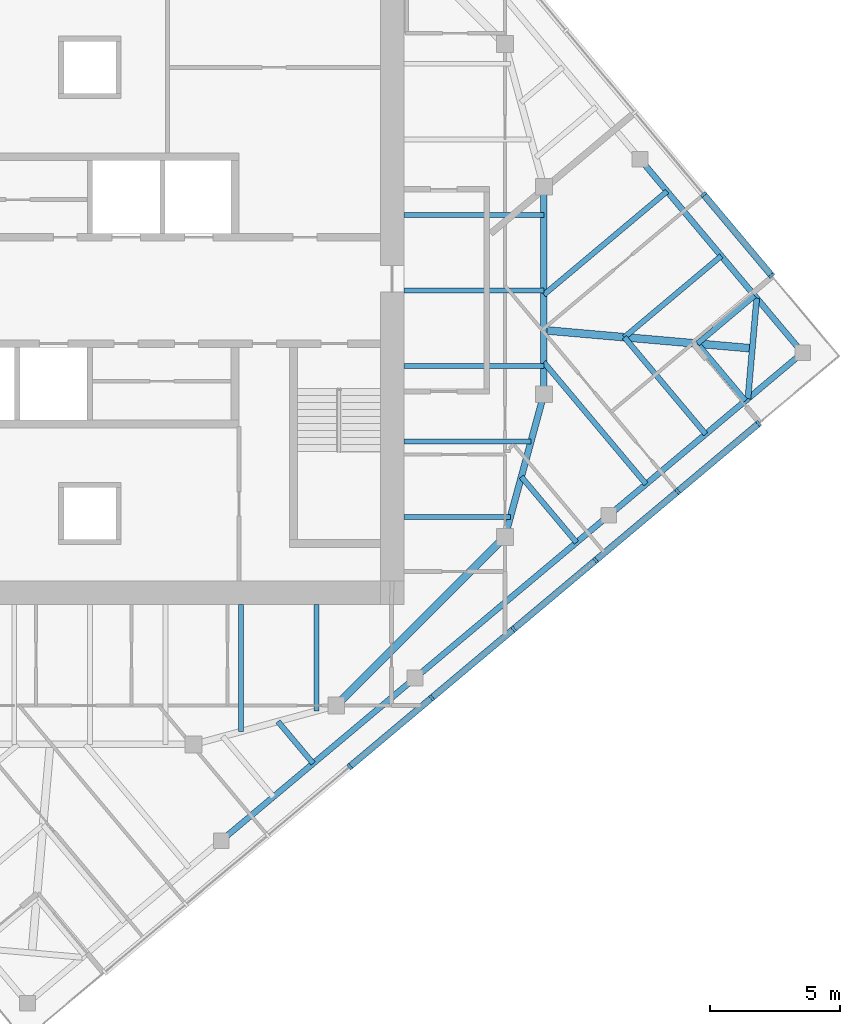
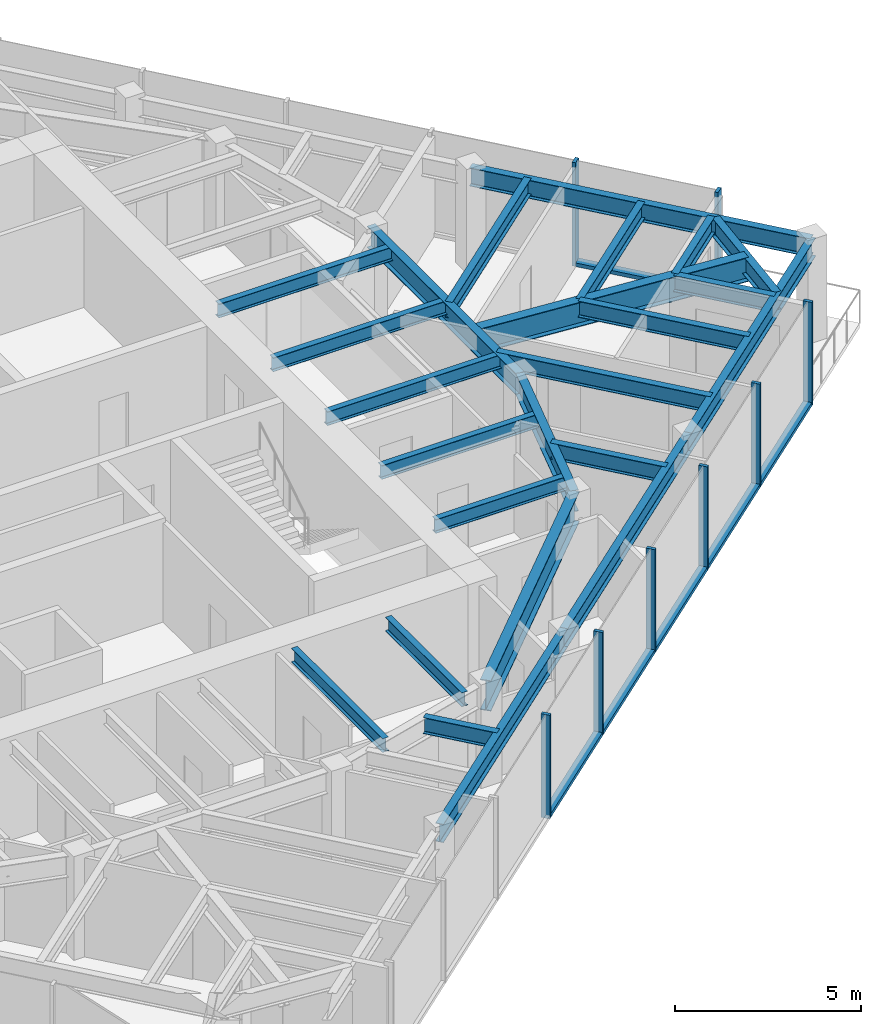
# One storey, part 3 of 12: 24 beams, 14 members, 2 elements without a shape of their own.
"""IFC4 building model written with IfcOpenShell, lengths in metres."""

from ifc_helpers import new_model, si_unit, direction, frame, origin, origin_2d, place, context, subcontext, project, spatial, rectangle, i_section, extrude, material, material_profile, profile_set, type_object, element, aggregate, save


model = new_model("IFC4")

# Units and contexts
model_context = context("Model", 3, precision=1e-05, world=origin(), true_north=direction((0.0, 1.0)))
body_context = subcontext(model_context, "Body", "Model", "MODEL_VIEW")
ifc_project = project(units=[si_unit("LENGTHUNIT", "METRE"), si_unit("AREAUNIT", "SQUARE_METRE"), si_unit("VOLUMEUNIT", "CUBIC_METRE"), si_unit("PLANEANGLEUNIT", "RADIAN"), si_unit("MASSUNIT", "GRAM", prefix="KILO")], contexts=[model_context])

# Site, building, storey
site_placement = place(None, origin())
site = spatial("IfcSite", under=ifc_project, at=site_placement, CompositionType="ELEMENT")
building_placement = place(site_placement, origin())
building = spatial("IfcBuilding", under=site, at=building_placement, Name="Torsade Residences", CompositionType="ELEMENT")
storey_placement = place(building_placement, frame((0.0, 0.0, 286.199951171875)))
storey = spatial("IfcBuildingStorey", under=building, at=storey_placement, Name="L79", CompositionType="ELEMENT", Elevation=286.199951171875)

# Beams
ifc_material_1 = material(Name="Steel grade 300", Category="steel")
ifc_material_profile_1 = material_profile(ifc_material_1, i_section(OverallWidth=0.300048828125, OverallDepth=0.800048828125, WebThickness=0.010009765625, FlangeThickness=0.02001953125, at=origin_2d()), Name="800WB146")
ifc_profile_set_1 = profile_set([ifc_material_profile_1], Name="Steel grade 300")
beam_type_1 = type_object("IfcBeamType", Name="CORNER GIRDER 800WB146", PredefinedType="BEAM", material=ifc_profile_set_1)
beam_1_placement = place(storey_placement, frame((65.53515625, 27.765869140625, 2.85009765625), z_axis=(-0.996193191806, 0.087172957961, 0.0), x_axis=(-0.087172957961, -0.996193191806, 0.0)))
element("IfcBeam", 1, at=beam_1_placement, inside=storey, type_object=beam_type_1, Name="Corner girder 05 L80", PredefinedType="BEAM", context=body_context, shape_type="SweptSolid", body=[
    extrude(i_section(OverallWidth=0.300048828125, OverallDepth=0.800048828125, WebThickness=0.010009765625, FlangeThickness=0.02001953125, at=origin_2d()), origin(), (0.0, 0.0, 1.0), 8.06591796875),
])
ifc_material_2 = material(Name="Steel grade 300", Category="steel")
ifc_material_profile_2 = material_profile(ifc_material_2, i_section(OverallWidth=0.22802734375, OverallDepth=0.60205078125, WebThickness=0.010498046875, FlangeThickness=0.014892578125, FilletRadius=0.013916015625, at=origin_2d()), Name="610UB101")
ifc_profile_set_2 = profile_set([ifc_material_profile_2], Name="Steel grade 300")
beam_type_2 = type_object("IfcBeamType", Name="CORNER TRIMMER 610UB101", PredefinedType="BEAM", material=ifc_profile_set_2)
beam_2_placement = place(storey_placement, frame((65.70458984375, 29.703125, 2.948974609375), z_axis=(-0.087133464362, -0.996196646947, 0.0), x_axis=(0.996196646947, -0.087133464362, 0.0)))
element("IfcBeam", 2, at=beam_2_placement, inside=storey, type_object=beam_type_2, Name="Corner trimmer 05 L80", PredefinedType="BEAM", context=body_context, shape_type="SweptSolid", body=[
    extrude(i_section(OverallWidth=0.22802734375, OverallDepth=0.60205078125, WebThickness=0.010498046875, FlangeThickness=0.014892578125, FilletRadius=0.013916015625, at=origin_2d()), origin(), (0.0, 0.0, 1.0), 3.88916015625),
])
ifc_material_3 = material(Name="Steel grade 300", Category="steel")
ifc_material_profile_3 = material_profile(ifc_material_3, i_section(OverallWidth=0.22802734375, OverallDepth=0.60205078125, WebThickness=0.010498046875, FlangeThickness=0.014892578125, FilletRadius=0.013916015625, at=origin_2d()), Name="610UB101")
ifc_profile_set_3 = profile_set([ifc_material_profile_3], Name="Steel grade 300")
beam_type_3 = type_object("IfcBeamType", Name="EDGE BEAM 610UB101", PredefinedType="SPANDREL", material=ifc_profile_set_3)
for number, where, z_axis, x_axis, name in (
    (3, (45.0654296875, 8.794921875, 2.948974609375), (0.766051532934, 0.642779160279, 0.0), (-0.642779160279, 0.766051532934, 0.0), "Edge beam 02 L80"),
    (4, (52.534423828125, 15.06201171875, 2.948974609375), (0.766028856906, 0.642806184154, 0.0), (-0.642806184154, 0.766028856906, 0.0), "Edge beam 03 L80"),
    (5, (60.003173828125, 21.329345703125, 2.948974609375), (0.766051532934, 0.642779160279, 0.0), (-0.642779160279, 0.766051532934, 0.0), "Edge beam 04 L80"),
    (6, (67.47216796875, 27.596435546875, 2.948974609375), (-0.642779160279, 0.766051532934, 0.0), (-0.766051532934, -0.642779160279, 0.0), "Edge beam 05 L80"),
):
    element("IfcBeam", number, at=place(storey_placement, frame(where, z_axis=z_axis, x_axis=x_axis)), inside=storey, type_object=beam_type_3, Name=name, PredefinedType="SPANDREL", context=body_context, shape_type="SweptSolid", body=[
        extrude(i_section(OverallWidth=0.22802734375, OverallDepth=0.60205078125, WebThickness=0.010498046875, FlangeThickness=0.014892578125, FilletRadius=0.013916015625, at=origin_2d()), origin(), (0.0, 0.0, 1.0), 9.75),
    ])

# Curtain wall, members
ifc_material_4 = material(Name="Aluminium and glass", Category="aluminium")
curtain_wall_type = type_object("IfcCurtainWallType", Name="FRITTED GLASS CURTAIN WALL HIGH ZONE", PredefinedType="NOTDEFINED", material=ifc_material_4)
curtain_wall_1_placement = place(storey_placement, origin())
curtain_wall_1 = element("IfcCurtainWall", 7, at=curtain_wall_1_placement, inside=storey, type_object=curtain_wall_type, Name="Curtain wall L79 face 1", PredefinedType="NOTDEFINED")
ifc_material_5 = material(Name="Aluminium mullion", Category="aluminium")
ifc_material_profile_4 = material_profile(ifc_material_5, rectangle(XDim=0.25, YDim=0.10009765625, at=origin_2d()), Name="HIGH ZONE CURTAIN WALL MULLION 250x100")
ifc_profile_set_4 = profile_set([ifc_material_profile_4], Name="Aluminium mullion")
member_type_1 = type_object("IfcMemberType", Name="HIGH ZONE CURTAIN WALL MULLION 250x100", PredefinedType="MULLION", material=ifc_profile_set_4)
member_1_placement = place(storey_placement, frame((50.017333984375, 11.64453125, 0.0), z_axis=(0.0, 0.0, 1.0), x_axis=(-0.642787616853, 0.766044437106, 0.0)))
member_1 = element("IfcMember", 8, at=member_1_placement, type_object=member_type_1, Name="Mullion 4", PredefinedType="MULLION", context=body_context, shape_type="SweptSolid", body=[
    extrude(rectangle(XDim=0.25, YDim=0.10009765625, at=origin_2d()), origin(), (0.0, 0.0, 1.0), 3.400146484375),
])
member_2_placement = place(storey_placement, frame((53.17724609375, 14.296142578125, 0.0), z_axis=(0.0, 0.0, 1.0), x_axis=(-0.642787616853, 0.766044437106, 0.0)))
member_2 = element("IfcMember", 9, at=member_2_placement, type_object=member_type_1, Name="Mullion 5", PredefinedType="MULLION", context=body_context, shape_type="SweptSolid", body=[
    extrude(rectangle(XDim=0.25, YDim=0.10009765625, at=origin_2d()), origin(), (0.0, 0.0, 1.0), 3.400146484375),
])
member_3_placement = place(storey_placement, frame((56.337158203125, 16.947509765625, 0.0), z_axis=(0.0, 0.0, 1.0), x_axis=(-0.642787616853, 0.766044437106, 0.0)))
member_3 = element("IfcMember", 10, at=member_3_placement, type_object=member_type_1, Name="Mullion 6", PredefinedType="MULLION", context=body_context, shape_type="SweptSolid", body=[
    extrude(rectangle(XDim=0.25, YDim=0.10009765625, at=origin_2d()), origin(), (0.0, 0.0, 1.0), 3.400146484375),
])
member_4_placement = place(storey_placement, frame((59.4970703125, 19.59912109375, 0.0), z_axis=(0.0, 0.0, 1.0), x_axis=(-0.642787616853, 0.766044437106, 0.0)))
member_4 = element("IfcMember", 11, at=member_4_placement, type_object=member_type_1, Name="Mullion 7", PredefinedType="MULLION", context=body_context, shape_type="SweptSolid", body=[
    extrude(rectangle(XDim=0.25, YDim=0.10009765625, at=origin_2d()), origin(), (0.0, 0.0, 1.0), 3.400146484375),
])
member_5_placement = place(storey_placement, frame((62.656982421875, 22.25048828125, 0.0), z_axis=(0.0, 0.0, 1.0), x_axis=(-0.642787616853, 0.766044437106, 0.0)))
member_5 = element("IfcMember", 12, at=member_5_placement, type_object=member_type_1, Name="Mullion 8", PredefinedType="MULLION", context=body_context, shape_type="SweptSolid", body=[
    extrude(rectangle(XDim=0.25, YDim=0.10009765625, at=origin_2d()), origin(), (0.0, 0.0, 1.0), 3.400146484375),
])
member_6_placement = place(storey_placement, frame((65.778564453125, 24.869873046875, 0.0), z_axis=(0.0, 0.0, 1.0), x_axis=(-0.642787616853, 0.766044437106, 0.0)))
member_6 = element("IfcMember", 13, at=member_6_placement, type_object=member_type_1, Name="Mullion 9", PredefinedType="MULLION", context=body_context, shape_type="SweptSolid", body=[
    extrude(rectangle(XDim=0.25, YDim=0.10009765625, at=origin_2d()), origin(), (0.0, 0.0, 1.0), 3.400146484375),
])

curtain_wall_2_placement = place(storey_placement, origin())
curtain_wall_2 = element("IfcCurtainWall", 14, at=curtain_wall_2_placement, inside=storey, type_object=curtain_wall_type, Name="Curtain wall L79 face 4", PredefinedType="NOTDEFINED")
member_7_placement = place(storey_placement, frame((66.27783203125, 30.57568359375, 0.0), z_axis=(0.0, 0.0, 1.0), x_axis=(-0.766044437106, -0.642787616853, 0.0)))
member_7 = element("IfcMember", 15, at=member_7_placement, type_object=member_type_1, Name="Mullion 1", PredefinedType="MULLION", context=body_context, shape_type="SweptSolid", body=[
    extrude(rectangle(XDim=0.25, YDim=0.10009765625, at=origin_2d()), origin(), (0.0, 0.0, 1.0), 3.400146484375),
])
member_8_placement = place(storey_placement, frame((63.658447265625, 33.697265625, 0.0), z_axis=(0.0, 0.0, 1.0), x_axis=(-0.766044437106, -0.642787616853, 0.0)))
member_8 = element("IfcMember", 16, at=member_8_placement, type_object=member_type_1, Name="Mullion 2", PredefinedType="MULLION", context=body_context, shape_type="SweptSolid", body=[
    extrude(rectangle(XDim=0.25, YDim=0.10009765625, at=origin_2d()), origin(), (0.0, 0.0, 1.0), 3.400146484375),
])

# Member
ifc_material_6 = material(Name="Aluminium transom", Category="aluminium")
ifc_material_profile_5 = material_profile(ifc_material_6, rectangle(XDim=0.25, YDim=0.1201171875, at=origin_2d()), Name="HIGH ZONE CURTAIN WALL TRANSOM 250x120")
ifc_profile_set_5 = profile_set([ifc_material_profile_5], Name="Aluminium transom")
member_type_2 = type_object("IfcMemberType", Name="HIGH ZONE CURTAIN WALL TRANSOM 250x120", PredefinedType="USERDEFINED", material=ifc_profile_set_5)
member_9_placement = place(storey_placement, frame((50.055419921875, 11.6767578125, 0.06005859375), z_axis=(0.766069182322, 0.6427581255, 0.0), x_axis=(-0.6427581255, 0.766069182322, 0.0)))
member_9 = element("IfcMember", 17, at=member_9_placement, type_object=member_type_2, Name="Transom 4.1", ObjectType="TRANSOM", PredefinedType="USERDEFINED", context=body_context, shape_type="SweptSolid", body=[
    extrude(rectangle(XDim=0.25, YDim=0.1201171875, at=origin_2d()), origin(), (0.0, 0.0, 1.0), 4.025146484375),
])

member_10_placement = place(storey_placement, frame((53.21533203125, 14.328125, 0.06005859375), z_axis=(0.766039316443, 0.642793719372, 0.0), x_axis=(-0.642793719372, 0.766039316443, 0.0)))
member_10 = element("IfcMember", 18, at=member_10_placement, type_object=member_type_2, Name="Transom 5.1", ObjectType="TRANSOM", PredefinedType="USERDEFINED", context=body_context, shape_type="SweptSolid", body=[
    extrude(rectangle(XDim=0.25, YDim=0.1201171875, at=origin_2d()), origin(), (0.0, 0.0, 1.0), 4.025146484375),
])

member_11_placement = place(storey_placement, frame((56.37548828125, 16.979736328125, 0.06005859375), z_axis=(0.766044121803, 0.642787992616, 0.0), x_axis=(-0.642787992616, 0.766044121803, 0.0)))
member_11 = element("IfcMember", 19, at=member_11_placement, type_object=member_type_2, Name="Transom 6.1", ObjectType="TRANSOM", PredefinedType="USERDEFINED", context=body_context, shape_type="SweptSolid", body=[
    extrude(rectangle(XDim=0.25, YDim=0.1201171875, at=origin_2d()), origin(), (0.0, 0.0, 1.0), 4.02490234375),
])

member_12_placement = place(storey_placement, frame((59.535400390625, 19.63134765625, 0.06005859375), z_axis=(0.766044121803, 0.642787992616, 0.0), x_axis=(-0.642787992616, 0.766044121803, 0.0)))
member_12 = element("IfcMember", 20, at=member_12_placement, type_object=member_type_2, Name="Transom 7.1", ObjectType="TRANSOM", PredefinedType="USERDEFINED", context=body_context, shape_type="SweptSolid", body=[
    extrude(rectangle(XDim=0.25, YDim=0.1201171875, at=origin_2d()), origin(), (0.0, 0.0, 1.0), 4.02490234375),
])

member_13_placement = place(storey_placement, frame((62.6953125, 22.28271484375, 0.06005859375), z_axis=(0.766021778456, 0.642814619413, 0.0), x_axis=(-0.642814619413, 0.766021778456, 0.0)))
member_13 = element("IfcMember", 21, at=member_13_placement, type_object=member_type_2, Name="Transom 8.1", ObjectType="TRANSOM", PredefinedType="USERDEFINED", context=body_context, shape_type="SweptSolid", body=[
    extrude(rectangle(XDim=0.25, YDim=0.1201171875, at=origin_2d()), origin(), (0.0, 0.0, 1.0), 3.97509765625),
])

aggregate(curtain_wall_1, [member_1, member_2, member_3, member_4, member_5, member_6, member_9, member_10, member_11, member_12, member_13])

member_14_placement = place(storey_placement, frame((66.24560546875, 30.614013671875, 0.06005859375), z_axis=(-0.642814619413, 0.766021778456, 0.0), x_axis=(-0.766021778456, -0.642814619413, 0.0)))
member_14 = element("IfcMember", 22, at=member_14_placement, type_object=member_type_2, Name="Transom 1.1", ObjectType="TRANSOM", PredefinedType="USERDEFINED", context=body_context, shape_type="SweptSolid", body=[
    extrude(rectangle(XDim=0.25, YDim=0.1201171875, at=origin_2d()), origin(), (0.0, 0.0, 1.0), 3.97509765625),
])

aggregate(curtain_wall_2, [member_7, member_8, member_14])

# Beams
ifc_material_7 = material(Name="Steel grade 300", Category="steel")
ifc_material_profile_6 = material_profile(ifc_material_7, i_section(OverallWidth=0.18994140625, OverallDepth=0.4541015625, WebThickness=0.008544921875, FlangeThickness=0.0126953125, FilletRadius=0.011474609375, at=origin_2d()), Name="460UB67.1")
ifc_profile_set_6 = profile_set([ifc_material_profile_6], Name="Steel grade 300")
beam_type_4 = type_object("IfcBeamType", Name="INNER FLOOR BEAM 460UB67.1", PredefinedType="JOIST", material=ifc_profile_set_6)
beam_3_placement = place(storey_placement, frame((48.737548828125, 17.89990234375, 3.02294921875), z_axis=(0.0, -1.0, 0.0), x_axis=(1.0, 0.0, 0.0)))
element("IfcBeam", 23, at=beam_3_placement, inside=storey, type_object=beam_type_4, Name="Inner floor beam IS01 L80", PredefinedType="JOIST", context=body_context, shape_type="SweptSolid", body=[
    extrude(i_section(OverallWidth=0.18994140625, OverallDepth=0.4541015625, WebThickness=0.008544921875, FlangeThickness=0.0126953125, FilletRadius=0.011474609375, at=origin_2d()), origin(), (0.0, 0.0, 1.0), 4.10791015625),
])
beam_4_placement = place(storey_placement, frame((45.824951171875, 17.89990234375, 3.02294921875), z_axis=(0.0, -1.0, 0.0), x_axis=(1.0, 0.0, 0.0)))
element("IfcBeam", 24, at=beam_4_placement, inside=storey, type_object=beam_type_4, Name="Inner floor beam IS02 L80", PredefinedType="JOIST", context=body_context, shape_type="SweptSolid", body=[
    extrude(i_section(OverallWidth=0.18994140625, OverallDepth=0.4541015625, WebThickness=0.008544921875, FlangeThickness=0.0126953125, FilletRadius=0.011474609375, at=origin_2d()), origin(), (0.0, 0.0, 1.0), 4.902099609375),
])
beam_5_placement = place(storey_placement, frame((52.10009765625, 21.262451171875, 3.02294921875), z_axis=(1.0, 0.0, 0.0), x_axis=(0.0, 1.0, 0.0)))
element("IfcBeam", 25, at=beam_5_placement, inside=storey, type_object=beam_type_4, Name="Inner floor beam IE01 L80", PredefinedType="JOIST", context=body_context, shape_type="SweptSolid", body=[
    extrude(i_section(OverallWidth=0.18994140625, OverallDepth=0.4541015625, WebThickness=0.008544921875, FlangeThickness=0.0126953125, FilletRadius=0.011474609375, at=origin_2d()), origin(), (0.0, 0.0, 1.0), 4.10791015625),
])
beam_6_placement = place(storey_placement, frame((52.10009765625, 24.175048828125, 3.02294921875), z_axis=(1.0, 0.0, 0.0), x_axis=(0.0, 1.0, 0.0)))
element("IfcBeam", 26, at=beam_6_placement, inside=storey, type_object=beam_type_4, Name="Inner floor beam IE02 L80", PredefinedType="JOIST", context=body_context, shape_type="SweptSolid", body=[
    extrude(i_section(OverallWidth=0.18994140625, OverallDepth=0.4541015625, WebThickness=0.008544921875, FlangeThickness=0.0126953125, FilletRadius=0.011474609375, at=origin_2d()), origin(), (0.0, 0.0, 1.0), 4.902099609375),
])
for number, where, z_axis, x_axis, name in (
    (27, (52.10009765625, 27.08740234375, 3.02294921875), (1.0, 0.0, 0.0), (0.0, 1.0, 0.0), "Inner floor beam IE03 L80"),
    (28, (52.10009765625, 30.0, 3.02294921875), (1.0, 0.0, 0.0), (0.0, 1.0, 0.0), "Inner floor beam IE04 L80"),
    (29, (52.10009765625, 32.91259765625, 3.02294921875), (1.0, 0.0, 0.0), (0.0, 1.0, 0.0), "Inner floor beam IE05 L80"),
):
    element("IfcBeam", number, at=place(storey_placement, frame(where, z_axis=z_axis, x_axis=x_axis)), inside=storey, type_object=beam_type_4, Name=name, PredefinedType="JOIST", context=body_context, shape_type="SweptSolid", body=[
        extrude(i_section(OverallWidth=0.18994140625, OverallDepth=0.4541015625, WebThickness=0.008544921875, FlangeThickness=0.0126953125, FilletRadius=0.011474609375, at=origin_2d()), origin(), (0.0, 0.0, 1.0), 5.39990234375),
    ])
ifc_material_8 = material(Name="Steel grade 300", Category="steel")
ifc_material_profile_7 = material_profile(ifc_material_8, i_section(OverallWidth=0.300048828125, OverallDepth=1.0, WebThickness=0.01611328125, FlangeThickness=0.028076171875, at=origin_2d()), Name="1000WB215")
ifc_profile_set_7 = profile_set([ifc_material_profile_7], Name="Steel grade 300")
beam_type_5 = type_object("IfcBeamType", Name="RING CORNER GIRDER 1000WB215", PredefinedType="BEAM", material=ifc_profile_set_7)
beam_7_placement = place(storey_placement, frame((49.5, 14.0, 2.75), z_axis=(0.707106781187, 0.707106781187, 0.0), x_axis=(-0.707106781187, 0.707106781187, 0.0)))
element("IfcBeam", 30, at=beam_7_placement, inside=storey, type_object=beam_type_5, Name="Ring girder IR15 L80", PredefinedType="BEAM", context=body_context, shape_type="SweptSolid", body=[
    extrude(i_section(OverallWidth=0.300048828125, OverallDepth=1.0, WebThickness=0.01611328125, FlangeThickness=0.028076171875, at=origin_2d()), origin(), (0.0, 0.0, 1.0), 9.1923828125),
])
ifc_material_9 = material(Name="Steel grade 300", Category="steel")
ifc_material_profile_8 = material_profile(ifc_material_9, i_section(OverallWidth=0.25, OverallDepth=0.699951171875, WebThickness=0.010009765625, FlangeThickness=0.02001953125, at=origin_2d()), Name="700WB130")
ifc_profile_set_8 = profile_set([ifc_material_profile_8], Name="Steel grade 300")
beam_type_6 = type_object("IfcBeamType", Name="RING GIRDER 700WB130", PredefinedType="BEAM", material=ifc_profile_set_8)
beam_8_placement = place(storey_placement, frame((57.5, 26.0, 2.900146484375), z_axis=(0.0, 1.0, 0.0), x_axis=(-1.0, 0.0, 0.0)))
element("IfcBeam", 31, at=beam_8_placement, inside=storey, type_object=beam_type_6, Name="Ring girder IR01 L80", PredefinedType="BEAM", context=body_context, shape_type="SweptSolid", body=[
    extrude(i_section(OverallWidth=0.25, OverallDepth=0.699951171875, WebThickness=0.010009765625, FlangeThickness=0.02001953125, at=origin_2d()), origin(), (0.0, 0.0, 1.0), 8.0),
])
beam_9_placement = place(storey_placement, frame((56.0, 20.5, 2.900146484375), z_axis=(0.263117405792, 0.964763821238, 0.0), x_axis=(-0.964763821238, 0.263117405792, 0.0)))
element("IfcBeam", 32, at=beam_9_placement, inside=storey, type_object=beam_type_6, Name="Ring girder IR16 L80", PredefinedType="BEAM", context=body_context, shape_type="SweptSolid", body=[
    extrude(i_section(OverallWidth=0.25, OverallDepth=0.699951171875, WebThickness=0.010009765625, FlangeThickness=0.02001953125, at=origin_2d()), origin(), (0.0, 0.0, 1.0), 5.700927734375),
])
ifc_material_10 = material(Name="Steel grade 300", Category="steel")
ifc_material_profile_9 = material_profile(ifc_material_10, i_section(OverallWidth=0.208984375, OverallDepth=0.532958984375, WebThickness=0.01025390625, FlangeThickness=0.015625, FilletRadius=0.013916015625, at=origin_2d()), Name="530UB92.4")
ifc_profile_set_9 = profile_set([ifc_material_profile_9], Name="Steel grade 300")
beam_type_7 = type_object("IfcBeamType", Name="SECONDARY BEAM 530UB92.4", PredefinedType="JOIST", material=ifc_profile_set_9)
beam_10_placement = place(storey_placement, frame((48.6083984375, 11.767822265625, 2.983642578125), z_axis=(-0.642771977004, 0.766057560226, 0.0), x_axis=(-0.766057560226, -0.642771977004, 0.0)))
element("IfcBeam", 33, at=beam_10_placement, inside=storey, type_object=beam_type_7, Name="Floor beam FS05 L80", PredefinedType="JOIST", context=body_context, shape_type="SweptSolid", body=[
    extrude(i_section(OverallWidth=0.208984375, OverallDepth=0.532958984375, WebThickness=0.01025390625, FlangeThickness=0.015625, FilletRadius=0.013916015625, at=origin_2d()), origin(), (0.0, 0.0, 1.0), 2.113037109375),
])
beam_11_placement = place(storey_placement, frame((58.758544921875, 20.28466796875, 2.983642578125), z_axis=(-0.642786956891, 0.766044990879, 0.0), x_axis=(-0.766044990879, -0.642786956891, 0.0)))
element("IfcBeam", 34, at=beam_11_placement, inside=storey, type_object=beam_type_7, Name="Floor beam FS09 L80", PredefinedType="JOIST", context=body_context, shape_type="SweptSolid", body=[
    extrude(i_section(OverallWidth=0.208984375, OverallDepth=0.532958984375, WebThickness=0.01025390625, FlangeThickness=0.015625, FilletRadius=0.013916015625, at=origin_2d()), origin(), (0.0, 0.0, 1.0), 3.307861328125),
])
beam_12_placement = place(storey_placement, frame((61.439697265625, 22.534423828125, 2.983642578125), z_axis=(-0.642794037701, 0.766039049329, 0.0), x_axis=(-0.766039049329, -0.642794037701, 0.0)))
element("IfcBeam", 35, at=beam_12_placement, inside=storey, type_object=beam_type_7, Name="Floor beam FS10 L80", PredefinedType="JOIST", context=body_context, shape_type="SweptSolid", body=[
    extrude(i_section(OverallWidth=0.208984375, OverallDepth=0.532958984375, WebThickness=0.01025390625, FlangeThickness=0.015625, FilletRadius=0.013916015625, at=origin_2d()), origin(), (0.0, 0.0, 1.0), 6.12890625),
])
beam_13_placement = place(storey_placement, frame((63.73779296875, 24.462890625, 2.983642578125), z_axis=(-0.642791490223, 0.766041186946, 0.0), x_axis=(-0.766041186946, -0.642791490223, 0.0)))
element("IfcBeam", 36, at=beam_13_placement, inside=storey, type_object=beam_type_7, Name="Floor beam FS11 L80", PredefinedType="JOIST", context=body_context, shape_type="SweptSolid", body=[
    extrude(i_section(OverallWidth=0.208984375, OverallDepth=0.532958984375, WebThickness=0.01025390625, FlangeThickness=0.015625, FilletRadius=0.013916015625, at=origin_2d()), origin(), (0.0, 0.0, 1.0), 4.875),
])
for number, where, z_axis, x_axis, name in (
    (37, (65.269775390625, 25.74853515625, 2.983642578125), (-0.642761807001, 0.766066093402, 0.0), (-0.766066093402, -0.642761807001, 0.0), "Floor beam FS12 L80"),
    (38, (65.624267578125, 29.798828125, 2.983642578125), (-0.766066093402, -0.642761807001, 0.0), (0.642761807001, -0.766066093402, 0.0), "Floor beam FE01 L80"),
):
    element("IfcBeam", number, at=place(storey_placement, frame(where, z_axis=z_axis, x_axis=x_axis)), inside=storey, type_object=beam_type_7, Name=name, PredefinedType="JOIST", context=body_context, shape_type="SweptSolid", body=[
        extrude(i_section(OverallWidth=0.208984375, OverallDepth=0.532958984375, WebThickness=0.01025390625, FlangeThickness=0.015625, FilletRadius=0.013916015625, at=origin_2d()), origin(), (0.0, 0.0, 1.0), 2.875),
    ])
beam_14_placement = place(storey_placement, frame((64.338623046875, 31.3310546875, 2.983642578125), z_axis=(-0.766016526982, -0.642820877376, 0.0), x_axis=(0.642820877376, -0.766016526982, 0.0)))
element("IfcBeam", 39, at=beam_14_placement, inside=storey, type_object=beam_type_7, Name="Floor beam FE02 L80", PredefinedType="JOIST", context=body_context, shape_type="SweptSolid", body=[
    extrude(i_section(OverallWidth=0.208984375, OverallDepth=0.532958984375, WebThickness=0.01025390625, FlangeThickness=0.015625, FilletRadius=0.013916015625, at=origin_2d()), origin(), (0.0, 0.0, 1.0), 4.875),
])
beam_15_placement = place(storey_placement, frame((62.24951171875, 33.820556640625, 2.983642578125), z_axis=(-0.766041422722, -0.642791209238, 0.0), x_axis=(0.642791209238, -0.766041422722, 0.0)))
element("IfcBeam", 40, at=beam_15_placement, inside=storey, type_object=beam_type_7, Name="Floor beam FE03 L80", PredefinedType="JOIST", context=body_context, shape_type="SweptSolid", body=[
    extrude(i_section(OverallWidth=0.208984375, OverallDepth=0.532958984375, WebThickness=0.01025390625, FlangeThickness=0.015625, FilletRadius=0.013916015625, at=origin_2d()), origin(), (0.0, 0.0, 1.0), 6.199951171875),
])

save(model, "model.ifc")
